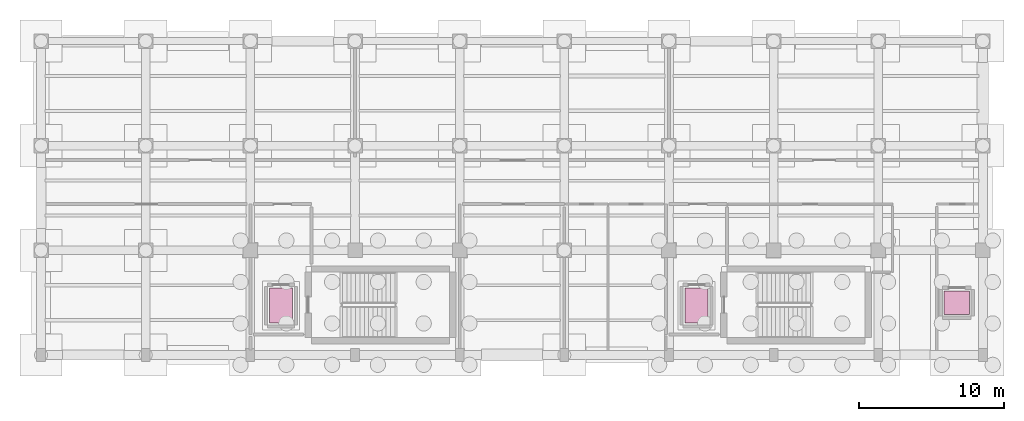
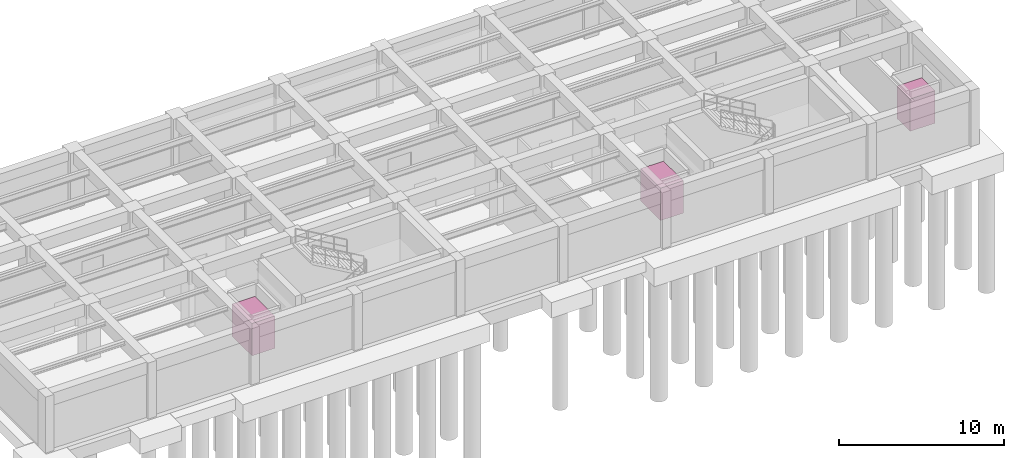
# One storey, part 8 of 8: 3 transport elements.
"""IFC4 building model written with IfcOpenShell, lengths in metres."""

from ifc_helpers import new_model, si_unit, direction, frame, origin, origin_2d, place, context, subcontext, project, spatial, rectangle, extrude, material, type_object, element, save


model = new_model("IFC4")

# Units and contexts
model_context = context("Model", 3, precision=1e-05, world=origin(), true_north=direction((0.0, 1.0)))
body_context = subcontext(model_context, "Body", "Model", "MODEL_VIEW")
ifc_project = project(units=[si_unit("LENGTHUNIT", "METRE"), si_unit("AREAUNIT", "SQUARE_METRE"), si_unit("VOLUMEUNIT", "CUBIC_METRE"), si_unit("PLANEANGLEUNIT", "RADIAN"), si_unit("MASSUNIT", "GRAM", prefix="KILO")], contexts=[model_context])

# Site, building, storey
site_placement = place(None, origin())
site = spatial("IfcSite", under=ifc_project, at=site_placement, CompositionType="ELEMENT")
building_placement = place(site_placement, origin())
building = spatial("IfcBuilding", under=site, at=building_placement, Name="Solenvale Faculty of Natural Sciences", CompositionType="ELEMENT")
storey_placement = place(building_placement, frame((0.0, 0.0, -9.0)))
storey = spatial("IfcBuildingStorey", under=building, at=storey_placement, Name="B02", CompositionType="ELEMENT", Elevation=-9.0)

# Transport elements
ifc_material = material(Name="Stainless steel Grade 304", Category="steel")
transport_element_type_1 = type_object("IfcTransportElementType", Name="LFT-FF-1600x2400", PredefinedType="ELEVATOR", material=ifc_material)
for number, where, z_axis, x_axis, name in (
    (1, (102.89990234375, 97.0, 0.0), (0.0, 0.0, 1.0), (1.0, 0.0, 0.0), "Elevator LF-01"),
    (2, (131.5, 97.0, 0.0), (0.0, 0.0, 1.0), (1.0, 0.0, 0.0), "Elevator LF-02"),
):
    element("IfcTransportElement", number, at=place(storey_placement, frame(where, z_axis=z_axis, x_axis=x_axis)), inside=storey, type_object=transport_element_type_1, Name=name, PredefinedType="ELEVATOR", context=body_context, shape_type="SweptSolid", body=[
        extrude(rectangle(XDim=1.60009765625, YDim=2.39990234375, at=origin_2d()), origin(), (0.0, 0.0, 1.0), 2.39990234375),
    ])
transport_element_type_2 = type_object("IfcTransportElementType", Name="LFT-PAX-1750x1600", PredefinedType="ELEVATOR", material=ifc_material)
transport_element_placement = place(storey_placement, frame((149.39990234375, 97.199951171875, 0.0), z_axis=(0.0, 0.0, 1.0), x_axis=(1.0, 0.0, 0.0)))
element("IfcTransportElement", 3, at=transport_element_placement, inside=storey, type_object=transport_element_type_2, Name="Elevator LP-03", PredefinedType="ELEVATOR", context=body_context, shape_type="SweptSolid", body=[
    extrude(rectangle(XDim=1.75, YDim=1.60009765625, at=origin_2d()), origin(), (0.0, 0.0, 1.0), 2.39990234375),
])

save(model, "model.ifc")
